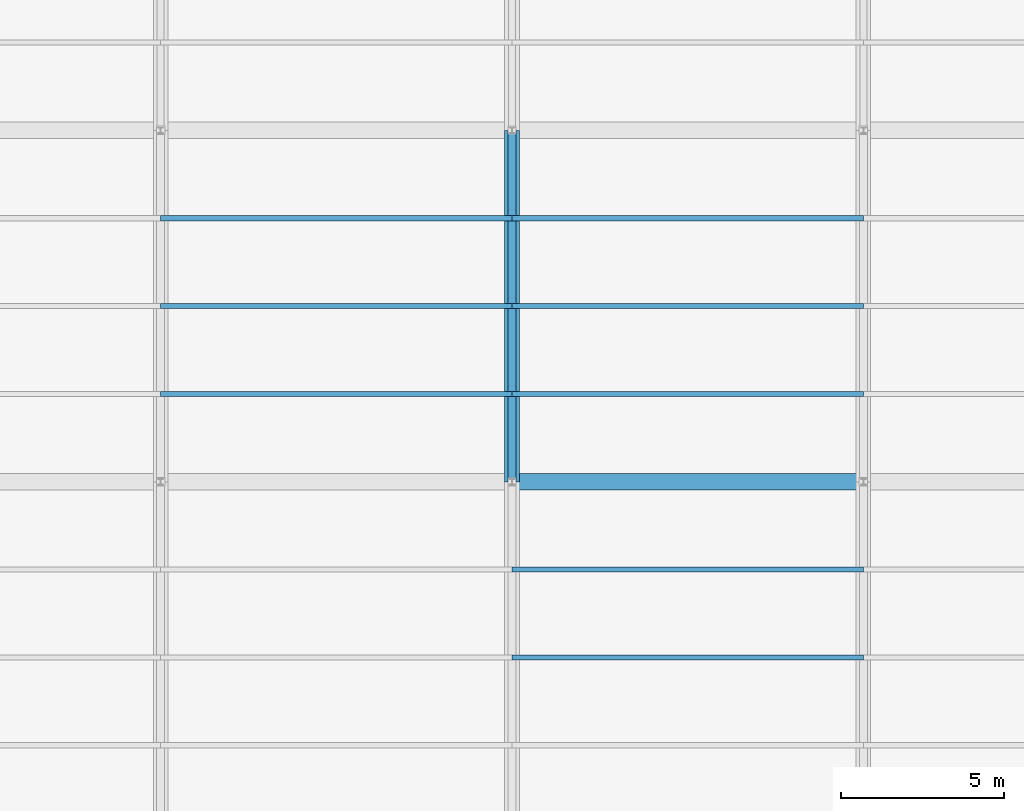
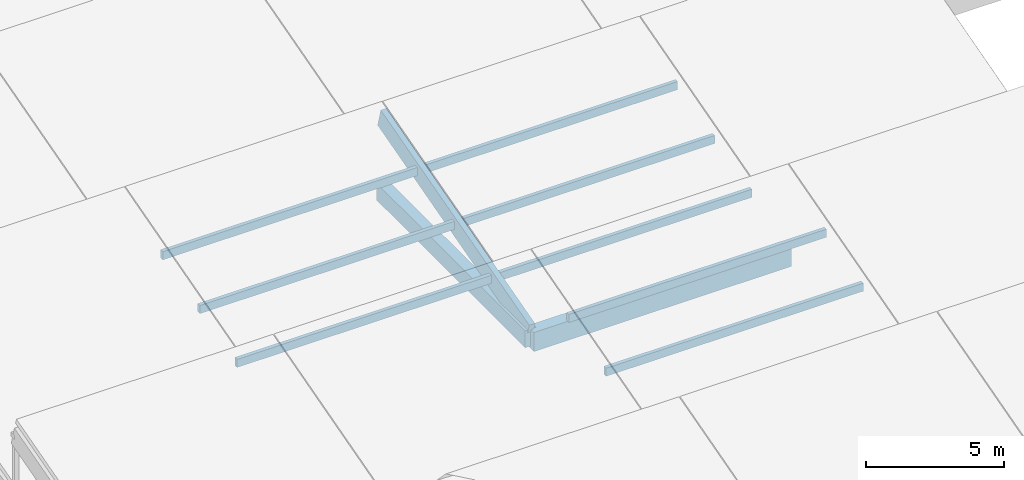
# One storey, part 15 of 112: 9 members, 2 beams.
"""IFC4 building model written with IfcOpenShell, lengths in metres."""

from ifc_helpers import new_model, si_unit, direction, frame, origin, origin_2d, place, context, subcontext, project, spatial, rectangle, extrude, material, material_profile, profile_set, type_object, element, save


model = new_model("IFC4")

# Units and contexts
model_context = context("Model", 3, precision=1e-05, world=origin(), true_north=direction((0.0, 1.0)))
body_context = subcontext(model_context, "Body", "Model", "MODEL_VIEW")
ifc_project = project(units=[si_unit("LENGTHUNIT", "METRE"), si_unit("AREAUNIT", "SQUARE_METRE"), si_unit("VOLUMEUNIT", "CUBIC_METRE"), si_unit("PLANEANGLEUNIT", "RADIAN"), si_unit("MASSUNIT", "GRAM", prefix="KILO")], contexts=[model_context])

# Site, building, storey
site_placement = place(None, origin())
site = spatial("IfcSite", under=ifc_project, at=site_placement, CompositionType="ELEMENT")
building_placement = place(site_placement, origin())
building = spatial("IfcBuilding", under=site, at=building_placement, Name="Zwinboog Wholesale Market", CompositionType="ELEMENT")
storey_placement = place(building_placement, frame((0.0, 0.0, 19.080078125)))
storey = spatial("IfcBuildingStorey", under=building, at=storey_placement, Name="Roof", CompositionType="ELEMENT", Elevation=19.080078125)

# Beams
ifc_material_1 = material(Name="Precast concrete C45/55", Category="concrete")
ifc_material_profile_1 = material_profile(ifc_material_1, rectangle(XDim=0.5, YDim=0.85009765625, at=origin_2d()), Name="PC 500x850")
ifc_profile_set_1 = profile_set([ifc_material_profile_1], Name="Precast concrete C45/55")
beam_type_1 = type_object("IfcBeamType", Name="BT-03", PredefinedType="BEAM", material=ifc_profile_set_1)
beam_1_placement = place(storey_placement, frame((21.60009765625, 54.0, -9.425048828125), z_axis=(1.0, 0.0, 0.0), x_axis=(0.0, 1.0, 0.0)))
element("IfcBeam", 1, at=beam_1_placement, inside=storey, type_object=beam_type_1, Name="BG-03 (BMG-Roof-0216-0540-1169)", PredefinedType="BEAM", context=body_context, shape_type="SweptSolid", body=[
    extrude(rectangle(XDim=0.5, YDim=0.85009765625, at=origin_2d()), origin(), (0.0, 0.0, 1.0), 10.7998046875),
])
ifc_material_profile_2 = material_profile(ifc_material_1, rectangle(XDim=0.449951171875, YDim=0.75, at=origin_2d()), Name="PC 450x750")
ifc_profile_set_2 = profile_set([ifc_material_profile_2], Name="Precast concrete C45/55")
beam_type_2 = type_object("IfcBeamType", Name="BT-04", PredefinedType="BEAM", material=ifc_profile_set_2)
beam_2_placement = place(storey_placement, frame((21.60009765625, 54.0, -9.375), z_axis=(0.0, 1.0, 0.0), x_axis=(-1.0, 0.0, 0.0)))
element("IfcBeam", 2, at=beam_2_placement, inside=storey, type_object=beam_type_2, Name="BG-04 (BMG-Roof-0216-0540-1226)", PredefinedType="BEAM", context=body_context, shape_type="SweptSolid", body=[
    extrude(rectangle(XDim=0.449951171875, YDim=0.75, at=origin_2d()), origin(), (0.0, 0.0, 1.0), 10.800048828125),
])

# Members
ifc_material_2 = material(Name="Glulam GL28h", Category="wood")
ifc_material_profile_3 = material_profile(ifc_material_2, rectangle(XDim=0.239990234375, YDim=0.840087890625, at=origin_2d()), Name="GL28h 240x840")
ifc_profile_set_3 = profile_set([ifc_material_profile_3], Name="Glulam GL28h")
member_type_1 = type_object("IfcMemberType", Name="MT-09", PredefinedType="RAFTER", material=ifc_profile_set_3)
member_1_placement = place(storey_placement, frame((21.60009765625, 54.0, -9.125732421875), z_axis=(0.0, 0.963518221675, 0.26764274042), x_axis=(-1.0, 0.0, 0.0)))
element("IfcMember", 3, at=member_1_placement, inside=storey, type_object=member_type_1, Name="GR-01 (MEM-Roof-0765)", PredefinedType="RAFTER", context=body_context, shape_type="SweptSolid", body=[
    extrude(rectangle(XDim=0.239990234375, YDim=0.840087890625, at=origin_2d()), origin(), (0.0, 0.0, 1.0), 11.208984375),
])
ifc_material_profile_4 = material_profile(ifc_material_2, rectangle(XDim=0.159912109375, YDim=0.360107421875, at=origin_2d()), Name="GL28h 160x360")
ifc_profile_set_4 = profile_set([ifc_material_profile_4], Name="Glulam GL28h")
member_type_2 = type_object("IfcMemberType", Name="MT-12", PredefinedType="PURLIN", material=ifc_profile_set_4)
member_2_placement = place(storey_placement, frame((21.60009765625, 51.300048828125, -6.845703125), z_axis=(1.0, 0.0, 0.0), x_axis=(0.0, 1.0, 0.0)))
element("IfcMember", 4, at=member_2_placement, inside=storey, type_object=member_type_2, Name="GP-01 (MEM-Roof-0749)", PredefinedType="PURLIN", context=body_context, shape_type="SweptSolid", body=[
    extrude(rectangle(XDim=0.159912109375, YDim=0.360107421875, at=origin_2d()), origin(), (0.0, 0.0, 1.0), 10.7998046875),
])
for number, where, z_axis, x_axis, name in (
    (5, (10.800048828125, 56.699951171875, -8.333251953125), (1.0, 0.0, 0.0), (0.0, 1.0, 0.0), "GP-01 (MEM-Roof-0762)"),
    (6, (10.800048828125, 62.10009765625, -6.833251953125), (1.0, 0.0, 0.0), (0.0, 1.0, 0.0), "GP-01 (MEM-Roof-0763)"),
):
    element("IfcMember", number, at=place(storey_placement, frame(where, z_axis=z_axis, x_axis=x_axis)), inside=storey, type_object=member_type_2, Name=name, PredefinedType="PURLIN", context=body_context, shape_type="SweptSolid", body=[
        extrude(rectangle(XDim=0.159912109375, YDim=0.360107421875, at=origin_2d()), origin(), (0.0, 0.0, 1.0), 10.800048828125),
    ])
for number, where, z_axis, x_axis, name in (
    (7, (21.60009765625, 56.699951171875, -8.345703125), (1.0, 0.0, 0.0), (0.0, 1.0, 0.0), "GP-01 (MEM-Roof-0766)"),
    (8, (21.60009765625, 62.10009765625, -6.845703125), (1.0, 0.0, 0.0), (0.0, 1.0, 0.0), "GP-01 (MEM-Roof-0767)"),
    (9, (21.60009765625, 48.60009765625, -7.595703125), (1.0, 0.0, 0.0), (0.0, 1.0, 0.0), "GP-01 (MEM-PRL-Roof-0019)"),
):
    element("IfcMember", number, at=place(storey_placement, frame(where, z_axis=z_axis, x_axis=x_axis)), inside=storey, type_object=member_type_2, Name=name, PredefinedType="PURLIN", context=body_context, shape_type="SweptSolid", body=[
        extrude(rectangle(XDim=0.159912109375, YDim=0.360107421875, at=origin_2d()), origin(), (0.0, 0.0, 1.0), 10.7998046875),
    ])
member_3_placement = place(storey_placement, frame((10.800048828125, 59.39990234375, -7.583251953125), z_axis=(1.0, 0.0, 0.0), x_axis=(0.0, 1.0, 0.0)))
element("IfcMember", 10, at=member_3_placement, inside=storey, type_object=member_type_2, Name="GP-01 (MEM-PRL-Roof-0022)", PredefinedType="PURLIN", context=body_context, shape_type="SweptSolid", body=[
    extrude(rectangle(XDim=0.159912109375, YDim=0.360107421875, at=origin_2d()), origin(), (0.0, 0.0, 1.0), 10.800048828125),
])
member_4_placement = place(storey_placement, frame((21.60009765625, 59.39990234375, -7.595703125), z_axis=(1.0, 0.0, 0.0), x_axis=(0.0, 1.0, 0.0)))
element("IfcMember", 11, at=member_4_placement, inside=storey, type_object=member_type_2, Name="GP-01 (MEM-PRL-Roof-0023)", PredefinedType="PURLIN", context=body_context, shape_type="SweptSolid", body=[
    extrude(rectangle(XDim=0.159912109375, YDim=0.360107421875, at=origin_2d()), origin(), (0.0, 0.0, 1.0), 10.7998046875),
])

save(model, "model.ifc")
